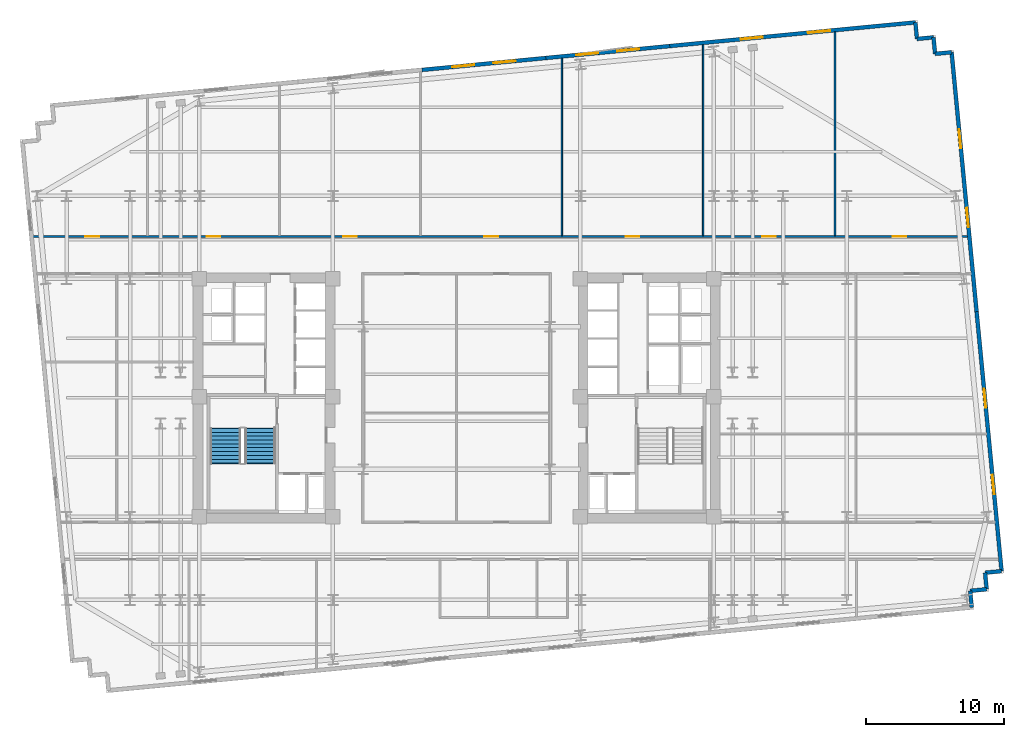
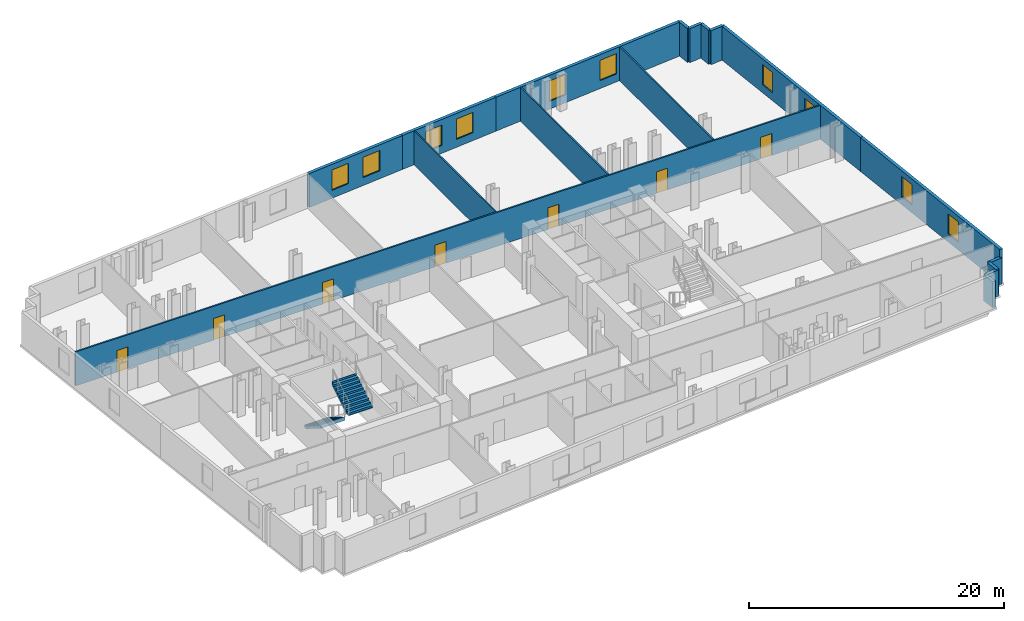
# One storey, part 8 of 11: 17 walls, 10 windows, 7 doors, 2 stair flights, 17 openings, 1 element without a shape of its own.
"""IFC4 building model written with IfcOpenShell, lengths in metres."""

from ifc_helpers import new_model, si_unit, direction, frame, frame_2d, origin, place, context, subcontext, project, spatial, polyline, rectangle, outline, extrude, material, layer, layer_set, type_object, element, fill, aggregate, save


model = new_model("IFC4")

# Units and contexts
model_context = context("Model", 3, precision=1e-05, world=origin(), true_north=direction((0.0, 1.0)))
body_context = subcontext(model_context, "Body", "Model", "MODEL_VIEW")
ifc_project = project(units=[si_unit("LENGTHUNIT", "METRE"), si_unit("AREAUNIT", "SQUARE_METRE"), si_unit("VOLUMEUNIT", "CUBIC_METRE"), si_unit("PLANEANGLEUNIT", "RADIAN"), si_unit("MASSUNIT", "GRAM", prefix="KILO")], contexts=[model_context])

# Site, building, storey
site_placement = place(None, origin())
site = spatial("IfcSite", under=ifc_project, at=site_placement, CompositionType="ELEMENT")
building_placement = place(site_placement, origin())
building = spatial("IfcBuilding", under=site, at=building_placement, Name="Velakula Bourse", CompositionType="ELEMENT")
storey_placement = place(building_placement, frame((0.0, 0.0, 105.25)))
storey = spatial("IfcBuildingStorey", under=building, at=storey_placement, Name="L28", CompositionType="ELEMENT", Elevation=105.25)

# Wall, openings, windows
ifc_material_1 = material(Name="Red kilned clay facing brick masonry", Category="masonry")
ifc_layer_1 = layer(ifc_material_1, 0.280029296875, Name="Red kilned clay facing brick masonry", Category="masonry")
ifc_layer_set_1 = layer_set([ifc_layer_1], Name="Red kilned clay facing brick masonry")
wall_type_1 = type_object("IfcWallType", Name="WL-EXT-BRK-280", PredefinedType="STANDARD", material=ifc_layer_set_1)
wall_1_placement = place(storey_placement, frame((-2.51513671875, 23.7109375, 0.0), z_axis=(0.0, 0.0, 1.0), x_axis=(0.995397043619, 0.095836973841, 0.0)))
wall_1 = element("IfcWall", 1, at=wall_1_placement, inside=storey, type_object=wall_type_1, Name="L28 N Brick Spandrel Wall B3", PredefinedType="STANDARD", context=body_context, shape_type="SweptSolid", body=[
    extrude(rectangle(XDim=9.000244140625, YDim=0.280029296875, at=frame_2d((4.5, 0.0))), origin(), (0.0, 0.0, 1.0), 3.25),
])
opening_1_placement = place(wall_1_placement, frame((2.199951171875, 0.0, 0.760009765625)))
opening_1 = element("IfcOpeningElement", 2, at=opening_1_placement, cuts=wall_1, Name="Opening W-02", PredefinedType="OPENING", context=body_context, shape_type="SweptSolid", body=[
    extrude(rectangle(XDim=1.60009765625, YDim=1.949951171875, at=frame_2d((0.800048828125, 0.97509765625))), frame((0.0, 0.14990234375, 0.0), z_axis=(0.0, -1.0, 0.0), x_axis=(1.0, 0.0, 0.0)), (0.0, 0.0, 1.0), 0.300048828125),
])
opening_2_placement = place(wall_1_placement, frame((5.199951171875, 0.0, 0.760009765625)))
opening_2 = element("IfcOpeningElement", 3, at=opening_2_placement, cuts=wall_1, Name="Opening W-02", PredefinedType="OPENING", context=body_context, shape_type="SweptSolid", body=[
    extrude(rectangle(XDim=1.60009765625, YDim=1.949951171875, at=frame_2d((0.800048828125, 0.97509765625))), frame((0.0, 0.14990234375, 0.0), z_axis=(0.0, -1.0, 0.0), x_axis=(1.0, 0.0, 0.0)), (0.0, 0.0, 1.0), 0.300048828125),
])
ifc_material_2 = material(Name="Double-glazed solar-control Low-E glass", Category="glass")
window_type_1 = type_object("IfcWindowType", Name="WIN-TWR-1600x2100", PartitioningType="SINGLE_PANEL", PredefinedType="WINDOW", material=ifc_material_2)
window_1_placement = place(opening_1_placement, origin())
window_1 = element("IfcWindow", 4, at=window_1_placement, inside=storey, type_object=window_type_1, Name="L28 Deep-Set Recessed Window 1", OverallHeight=1.949951171875, OverallWidth=1.60009765625, PartitioningType="SINGLE_PANEL", PredefinedType="WINDOW", context=body_context, shape_type="SweptSolid", body=[
    extrude(rectangle(XDim=1.60009765625, YDim=1.949951171875, at=frame_2d((0.800048828125, 0.97509765625))), frame((0.0, 0.030029296875, 0.0), z_axis=(0.0, -1.0, 0.0), x_axis=(1.0, 0.0, 0.0)), (0.0, 0.0, 1.0), 0.06005859375),
])
fill(opening_1, window_1)
window_2_placement = place(opening_2_placement, origin())
window_2 = element("IfcWindow", 5, at=window_2_placement, inside=storey, type_object=window_type_1, Name="L28 Deep-Set Recessed Window 2", OverallHeight=1.949951171875, OverallWidth=1.60009765625, PartitioningType="SINGLE_PANEL", PredefinedType="WINDOW", context=body_context, shape_type="SweptSolid", body=[
    extrude(rectangle(XDim=1.60009765625, YDim=1.949951171875, at=frame_2d((0.800048828125, 0.97509765625))), frame((0.0, 0.030029296875, 0.0), z_axis=(0.0, -1.0, 0.0), x_axis=(1.0, 0.0, 0.0)), (0.0, 0.0, 1.0), 0.06005859375),
])
fill(opening_2, window_2)

wall_2_placement = place(storey_placement, frame((6.443603515625, 24.573486328125, 0.0), z_axis=(0.0, 0.0, 1.0), x_axis=(0.995396794462, 0.09583956164, 0.0)))
wall_2 = element("IfcWall", 6, at=wall_2_placement, inside=storey, type_object=wall_type_1, Name="L28 N Brick Spandrel Wall B4", PredefinedType="STANDARD", context=body_context, shape_type="SweptSolid", body=[
    extrude(rectangle(XDim=9.0, YDim=0.280029296875, at=frame_2d((4.5, 0.0))), origin(), (0.0, 0.0, 1.0), 3.25),
])
opening_3_placement = place(wall_2_placement, frame((2.199951171875, 0.0, 0.760009765625)))
opening_3 = element("IfcOpeningElement", 7, at=opening_3_placement, cuts=wall_2, Name="Opening W-02", PredefinedType="OPENING", context=body_context, shape_type="SweptSolid", body=[
    extrude(rectangle(XDim=1.60009765625, YDim=1.949951171875, at=frame_2d((0.800048828125, 0.97509765625))), frame((0.0, 0.14990234375, 0.0), z_axis=(0.0, -1.0, 0.0), x_axis=(1.0, 0.0, 0.0)), (0.0, 0.0, 1.0), 0.300048828125),
])
opening_4_placement = place(wall_2_placement, frame((5.199951171875, 0.0, 0.760009765625)))
opening_4 = element("IfcOpeningElement", 8, at=opening_4_placement, cuts=wall_2, Name="Opening W-02", PredefinedType="OPENING", context=body_context, shape_type="SweptSolid", body=[
    extrude(rectangle(XDim=1.60009765625, YDim=1.949951171875, at=frame_2d((0.800048828125, 0.97509765625))), frame((0.0, 0.14990234375, 0.0), z_axis=(0.0, -1.0, 0.0), x_axis=(1.0, 0.0, 0.0)), (0.0, 0.0, 1.0), 0.300048828125),
])
window_3_placement = place(opening_3_placement, origin())
window_3 = element("IfcWindow", 9, at=window_3_placement, inside=storey, type_object=window_type_1, Name="L28 Deep-Set Recessed Window 1", OverallHeight=1.949951171875, OverallWidth=1.60009765625, PartitioningType="SINGLE_PANEL", PredefinedType="WINDOW", context=body_context, shape_type="SweptSolid", body=[
    extrude(rectangle(XDim=1.60009765625, YDim=1.949951171875, at=frame_2d((0.800048828125, 0.97509765625))), frame((0.0, 0.030029296875, 0.0), z_axis=(0.0, -1.0, 0.0), x_axis=(1.0, 0.0, 0.0)), (0.0, 0.0, 1.0), 0.06005859375),
])
fill(opening_3, window_3)
window_4_placement = place(opening_4_placement, origin())
window_4 = element("IfcWindow", 10, at=window_4_placement, inside=storey, type_object=window_type_1, Name="L28 Deep-Set Recessed Window 2", OverallHeight=1.949951171875, OverallWidth=1.60009765625, PartitioningType="SINGLE_PANEL", PredefinedType="WINDOW", context=body_context, shape_type="SweptSolid", body=[
    extrude(rectangle(XDim=1.60009765625, YDim=1.949951171875, at=frame_2d((0.800048828125, 0.97509765625))), frame((0.0, 0.030029296875, 0.0), z_axis=(0.0, -1.0, 0.0), x_axis=(1.0, 0.0, 0.0)), (0.0, 0.0, 1.0), 0.06005859375),
])
fill(opening_4, window_4)

wall_3_placement = place(storey_placement, frame((15.402099609375, 25.43603515625, 0.0), z_axis=(0.0, 0.0, 1.0), x_axis=(0.995395780835, 0.095850088663, 0.0)))
wall_3 = element("IfcWall", 11, at=wall_3_placement, inside=storey, type_object=wall_type_1, Name="L28 N Brick Spandrel Wall B5", PredefinedType="STANDARD", context=body_context, shape_type="SweptSolid", body=[
    extrude(rectangle(XDim=17.83984375, YDim=0.280029296875, at=frame_2d((8.919921875, 0.0))), origin(), (0.0, 0.0, 1.0), 3.25),
])
opening_5_placement = place(wall_3_placement, frame((5.146728515625, 0.0, 0.760009765625)))
opening_5 = element("IfcOpeningElement", 12, at=opening_5_placement, cuts=wall_3, Name="Opening W-02", PredefinedType="OPENING", context=body_context, shape_type="SweptSolid", body=[
    extrude(rectangle(XDim=1.60009765625, YDim=1.949951171875, at=frame_2d((0.800048828125, 0.97509765625))), frame((0.0, 0.14990234375, 0.0), z_axis=(0.0, -1.0, 0.0), x_axis=(1.0, 0.0, 0.0)), (0.0, 0.0, 1.0), 0.300048828125),
])
opening_6_placement = place(wall_3_placement, frame((10.043212890625, 0.0, 0.760009765625)))
opening_6 = element("IfcOpeningElement", 13, at=opening_6_placement, cuts=wall_3, Name="Opening W-02", PredefinedType="OPENING", context=body_context, shape_type="SweptSolid", body=[
    extrude(rectangle(XDim=1.60009765625, YDim=1.949951171875, at=frame_2d((0.800048828125, 0.97509765625))), frame((0.0, 0.14990234375, 0.0), z_axis=(0.0, -1.0, 0.0), x_axis=(1.0, 0.0, 0.0)), (0.0, 0.0, 1.0), 0.300048828125),
])
window_5_placement = place(opening_5_placement, origin())
window_5 = element("IfcWindow", 14, at=window_5_placement, inside=storey, type_object=window_type_1, Name="L28 Deep-Set Recessed Window 1", OverallHeight=1.949951171875, OverallWidth=1.60009765625, PartitioningType="SINGLE_PANEL", PredefinedType="WINDOW", context=body_context, shape_type="SweptSolid", body=[
    extrude(rectangle(XDim=1.60009765625, YDim=1.949951171875, at=frame_2d((0.800048828125, 0.97509765625))), frame((0.0, 0.030029296875, 0.0), z_axis=(0.0, -1.0, 0.0), x_axis=(1.0, 0.0, 0.0)), (0.0, 0.0, 1.0), 0.06005859375),
])
fill(opening_5, window_5)
window_6_placement = place(opening_6_placement, origin())
window_6 = element("IfcWindow", 15, at=window_6_placement, inside=storey, type_object=window_type_1, Name="L28 Deep-Set Recessed Window 2", OverallHeight=1.949951171875, OverallWidth=1.60009765625, PartitioningType="SINGLE_PANEL", PredefinedType="WINDOW", context=body_context, shape_type="SweptSolid", body=[
    extrude(rectangle(XDim=1.60009765625, YDim=1.949951171875, at=frame_2d((0.800048828125, 0.97509765625))), frame((0.0, 0.030029296875, 0.0), z_axis=(0.0, -1.0, 0.0), x_axis=(1.0, 0.0, 0.0)), (0.0, 0.0, 1.0), 0.06005859375),
])
fill(opening_6, window_6)

wall_4_placement = place(storey_placement, frame((37.584716796875, 6.23388671875, 0.0), z_axis=(0.0, 0.0, 1.0), x_axis=(0.095841297881, -0.99539662729, 0.0)))
wall_4 = element("IfcWall", 16, at=wall_4_placement, inside=storey, type_object=wall_type_1, Name="L28 E Brick End Wall W1", PredefinedType="STANDARD", context=body_context, shape_type="SweptSolid", body=[
    extrude(rectangle(XDim=18.840087890625, YDim=0.280029296875, at=frame_2d((9.419921875, 0.0))), origin(), (0.0, 0.0, 1.0), 3.25),
])
opening_7_placement = place(wall_4_placement, frame((5.580078125, 0.0, 0.760009765625)))
opening_7 = element("IfcOpeningElement", 17, at=opening_7_placement, cuts=wall_4, Name="Opening W-03", PredefinedType="OPENING", context=body_context, shape_type="SweptSolid", body=[
    extrude(rectangle(XDim=1.39990234375, YDim=1.949951171875, at=frame_2d((0.699951171875, 0.97509765625))), frame((0.0, 0.14990234375, 0.0), z_axis=(0.0, -1.0, 0.0), x_axis=(1.0, 0.0, 0.0)), (0.0, 0.0, 1.0), 0.300048828125),
])
opening_8_placement = place(wall_4_placement, frame((11.860107421875, 0.0, 0.760009765625)))
opening_8 = element("IfcOpeningElement", 18, at=opening_8_placement, cuts=wall_4, Name="Opening W-03", PredefinedType="OPENING", context=body_context, shape_type="SweptSolid", body=[
    extrude(rectangle(XDim=1.39990234375, YDim=1.949951171875, at=frame_2d((0.699951171875, 0.97509765625))), frame((0.0, 0.14990234375, 0.0), z_axis=(0.0, -1.0, 0.0), x_axis=(1.0, 0.0, 0.0)), (0.0, 0.0, 1.0), 0.300048828125),
])
window_type_2 = type_object("IfcWindowType", Name="WIN-TWR-1400x2100", PartitioningType="SINGLE_PANEL", PredefinedType="WINDOW", material=ifc_material_2)
window_7_placement = place(opening_7_placement, origin())
window_7 = element("IfcWindow", 19, at=window_7_placement, inside=storey, type_object=window_type_2, Name="L28 Deep-Set Recessed Window 1", OverallHeight=1.949951171875, OverallWidth=1.39990234375, PartitioningType="SINGLE_PANEL", PredefinedType="WINDOW", context=body_context, shape_type="SweptSolid", body=[
    extrude(rectangle(XDim=1.39990234375, YDim=1.949951171875, at=frame_2d((0.699951171875, 0.97509765625))), frame((0.0, 0.030029296875, 0.0), z_axis=(0.0, -1.0, 0.0), x_axis=(1.0, 0.0, 0.0)), (0.0, 0.0, 1.0), 0.06005859375),
])
fill(opening_7, window_7)
window_8_placement = place(opening_8_placement, origin())
window_8 = element("IfcWindow", 20, at=window_8_placement, inside=storey, type_object=window_type_2, Name="L28 Deep-Set Recessed Window 2", OverallHeight=1.949951171875, OverallWidth=1.39990234375, PartitioningType="SINGLE_PANEL", PredefinedType="WINDOW", context=body_context, shape_type="SweptSolid", body=[
    extrude(rectangle(XDim=1.39990234375, YDim=1.949951171875, at=frame_2d((0.699951171875, 0.97509765625))), frame((0.0, 0.030029296875, 0.0), z_axis=(0.0, -1.0, 0.0), x_axis=(1.0, 0.0, 0.0)), (0.0, 0.0, 1.0), 0.06005859375),
])
fill(opening_8, window_8)

wall_5_placement = place(storey_placement, frame((35.779052734375, 24.987060546875, 0.0), z_axis=(0.0, 0.0, 1.0), x_axis=(0.095842534142, -0.995396508256, 0.0)))
wall_5 = element("IfcWall", 21, at=wall_5_placement, inside=storey, type_object=wall_type_1, Name="L28 E Brick End Wall W2", PredefinedType="STANDARD", context=body_context, shape_type="SweptSolid", body=[
    extrude(rectangle(XDim=18.83984375, YDim=0.280029296875, at=frame_2d((9.419921875, 0.0))), origin(), (0.0, 0.0, 1.0), 3.25),
])
opening_9_placement = place(wall_5_placement, frame((5.580078125, 0.0, 0.760009765625)))
opening_9 = element("IfcOpeningElement", 22, at=opening_9_placement, cuts=wall_5, Name="Opening W-03", PredefinedType="OPENING", context=body_context, shape_type="SweptSolid", body=[
    extrude(rectangle(XDim=1.39990234375, YDim=1.949951171875, at=frame_2d((0.699951171875, 0.97509765625))), frame((0.0, 0.14990234375, 0.0), z_axis=(0.0, -1.0, 0.0), x_axis=(1.0, 0.0, 0.0)), (0.0, 0.0, 1.0), 0.300048828125),
])
opening_10_placement = place(wall_5_placement, frame((11.31005859375, 0.0, 0.760009765625)))
opening_10 = element("IfcOpeningElement", 23, at=opening_10_placement, cuts=wall_5, Name="Opening W-03", PredefinedType="OPENING", context=body_context, shape_type="SweptSolid", body=[
    extrude(rectangle(XDim=1.39990234375, YDim=1.949951171875, at=frame_2d((0.699951171875, 0.97509765625))), frame((0.0, 0.14990234375, 0.0), z_axis=(0.0, -1.0, 0.0), x_axis=(1.0, 0.0, 0.0)), (0.0, 0.0, 1.0), 0.300048828125),
])
window_9_placement = place(opening_9_placement, origin())
window_9 = element("IfcWindow", 24, at=window_9_placement, inside=storey, type_object=window_type_2, Name="L28 Deep-Set Recessed Window 1", OverallHeight=1.949951171875, OverallWidth=1.39990234375, PartitioningType="SINGLE_PANEL", PredefinedType="WINDOW", context=body_context, shape_type="SweptSolid", body=[
    extrude(rectangle(XDim=1.39990234375, YDim=1.949951171875, at=frame_2d((0.699951171875, 0.97509765625))), frame((0.0, 0.030029296875, 0.0), z_axis=(0.0, -1.0, 0.0), x_axis=(1.0, 0.0, 0.0)), (0.0, 0.0, 1.0), 0.06005859375),
])
fill(opening_9, window_9)
window_10_placement = place(opening_10_placement, origin())
window_10 = element("IfcWindow", 25, at=window_10_placement, inside=storey, type_object=window_type_2, Name="L28 Deep-Set Recessed Window 2", OverallHeight=1.949951171875, OverallWidth=1.39990234375, PartitioningType="SINGLE_PANEL", PredefinedType="WINDOW", context=body_context, shape_type="SweptSolid", body=[
    extrude(rectangle(XDim=1.39990234375, YDim=1.949951171875, at=frame_2d((0.699951171875, 0.97509765625))), frame((0.0, 0.030029296875, 0.0), z_axis=(0.0, -1.0, 0.0), x_axis=(1.0, 0.0, 0.0)), (0.0, 0.0, 1.0), 0.06005859375),
])
fill(opening_10, window_10)

# Walls
for number, where, z_axis, x_axis, name in (
    (26, (37.2314453125, -15.138427734375, 0.0), (0.0, 0.0, 1.0), (-0.095817067274, 0.995398960025, 0.0), "L28 Serrated Corner Brick Wall SE-1"),
    (27, (37.116455078125, -13.94384765625, 0.0), (0.0, 0.0, 1.0), (0.995398960025, 0.095817067274, 0.0), "L28 Serrated Corner Brick Wall SE-2"),
):
    element("IfcWall", number, at=place(storey_placement, frame(where, z_axis=z_axis, x_axis=x_axis)), inside=storey, type_object=wall_type_1, Name=name, PredefinedType="STANDARD", context=body_context, shape_type="SweptSolid", body=[
        extrude(rectangle(XDim=1.2001953125, YDim=0.280029296875, at=frame_2d((0.60009765625, 0.0))), origin(), (0.0, 0.0, 1.0), 2.4951171875),
    ])
for number, where, z_axis, x_axis, name in (
    (28, (38.31103515625, -13.828857421875, 0.0), (0.0, 0.0, 1.0), (-0.095836473879, 0.995397091755, 0.0), "L28 Serrated Corner Brick Wall SE-3"),
    (29, (38.196044921875, -12.634521484375, 0.0), (0.0, 0.0, 1.0), (0.995397091755, 0.095836473879, 0.0), "L28 Serrated Corner Brick Wall SE-4"),
):
    element("IfcWall", number, at=place(storey_placement, frame(where, z_axis=z_axis, x_axis=x_axis)), inside=storey, type_object=wall_type_1, Name=name, PredefinedType="STANDARD", context=body_context, shape_type="SweptSolid", body=[
        extrude(rectangle(XDim=1.199951171875, YDim=0.280029296875, at=frame_2d((0.60009765625, 0.0))), origin(), (0.0, 0.0, 1.0), 2.4951171875),
    ])
for number, where, z_axis, x_axis, name in (
    (30, (35.779052734375, 24.987060546875, 0.0), (0.0, 0.0, 1.0), (-0.995398960025, -0.095817067274, 0.0), "L28 Serrated Corner Brick Wall NE-1"),
    (31, (34.58447265625, 24.8720703125, 0.0), (0.0, 0.0, 1.0), (-0.095817067274, 0.995398960025, 0.0), "L28 Serrated Corner Brick Wall NE-2"),
    (32, (34.469482421875, 26.066650390625, 0.0), (0.0, 0.0, 1.0), (-0.995398960025, -0.095817067274, 0.0), "L28 Serrated Corner Brick Wall NE-3"),
):
    element("IfcWall", number, at=place(storey_placement, frame(where, z_axis=z_axis, x_axis=x_axis)), inside=storey, type_object=wall_type_1, Name=name, PredefinedType="STANDARD", context=body_context, shape_type="SweptSolid", body=[
        extrude(rectangle(XDim=1.2001953125, YDim=0.280029296875, at=frame_2d((0.60009765625, 0.0))), origin(), (0.0, 0.0, 1.0), 3.25),
    ])
wall_6_placement = place(storey_placement, frame((33.27490234375, 25.95166015625, 0.0), z_axis=(0.0, 0.0, 1.0), x_axis=(-0.095836473879, 0.995397091755, 0.0)))
element("IfcWall", 33, at=wall_6_placement, inside=storey, type_object=wall_type_1, Name="L28 Serrated Corner Brick Wall NE-4", PredefinedType="STANDARD", context=body_context, shape_type="SweptSolid", body=[
    extrude(rectangle(XDim=1.199951171875, YDim=0.280029296875, at=frame_2d((0.60009765625, 0.0))), origin(), (0.0, 0.0, 1.0), 3.25),
])
ifc_material_3 = material(Name="Fire-rated double-layer gypsum drywall partition", Category="gypsum")
ifc_layer_2 = layer(ifc_material_3, 0.1201171875, Name="Fire-rated double-layer gypsum drywall partition", Category="gypsum")
ifc_layer_set_2 = layer_set([ifc_layer_2], Name="Fire-rated double-layer gypsum drywall partition")
wall_type_2 = type_object("IfcWallType", Name="WL-PART-120", PredefinedType="STANDARD", material=ifc_layer_set_2)
wall_7_placement = place(storey_placement, frame((7.60498046875, 11.739990234375, 0.0), z_axis=(0.0, 0.0, 1.0), x_axis=(0.0, 1.0, 0.0)))
element("IfcWall", 34, at=wall_7_placement, inside=storey, type_object=wall_type_2, Name="L28 Interior Partition WL-INT-L28-N-D4", PredefinedType="STANDARD", context=body_context, shape_type="SweptSolid", body=[
    extrude(rectangle(XDim=12.82470703125, YDim=0.1201171875, at=frame_2d((6.412353515625, 0.0))), origin(), (0.0, 0.0, 1.0), 3.25),
])
wall_8_placement = place(storey_placement, frame((17.81494140625, 11.739990234375, 0.0), z_axis=(0.0, 0.0, 1.0), x_axis=(0.0, 1.0, 0.0)))
element("IfcWall", 35, at=wall_8_placement, inside=storey, type_object=wall_type_2, Name="L28 Interior Partition WL-INT-L28-N-D5", PredefinedType="STANDARD", context=body_context, shape_type="SweptSolid", body=[
    extrude(rectangle(XDim=13.807861328125, YDim=0.1201171875, at=frame_2d((6.90380859375, 0.0))), origin(), (0.0, 0.0, 1.0), 3.25),
])
wall_9_placement = place(storey_placement, frame((27.343994140625, 11.739990234375, 0.0), z_axis=(0.0, 0.0, 1.0), x_axis=(0.0, 1.0, 0.0)))
element("IfcWall", 36, at=wall_9_placement, inside=storey, type_object=wall_type_2, Name="L28 Interior Partition WL-INT-L28-N-D6", PredefinedType="STANDARD", context=body_context, shape_type="SweptSolid", body=[
    extrude(rectangle(XDim=14.7255859375, YDim=0.1201171875, at=frame_2d((7.36279296875, 0.0))), origin(), (0.0, 0.0, 1.0), 3.25),
])

# Wall, openings, doors
ifc_layer_3 = layer(ifc_material_3, 0.139892578125, Name="Fire-rated double-layer gypsum drywall partition", Category="gypsum")
ifc_layer_set_3 = layer_set([ifc_layer_3], Name="Fire-rated double-layer gypsum drywall partition")
wall_type_3 = type_object("IfcWallType", Name="WL-PART-140", PredefinedType="STANDARD", material=ifc_layer_set_3)
wall_10_placement = place(storey_placement, frame((-30.6103515625, 11.669921875, 0.0), z_axis=(0.0, 0.0, 1.0), x_axis=(1.0, 0.0, 0.0)))
wall_10 = element("IfcWall", 37, at=wall_10_placement, inside=storey, type_object=wall_type_3, Name="L28 Interior Partition WL-INT-L28-N-CORR", PredefinedType="STANDARD", context=body_context, shape_type="SweptSolid", body=[
    extrude(rectangle(XDim=67.551025390625, YDim=0.139892578125, at=frame_2d((33.775390625, 0.0))), origin(), (0.0, 0.0, 1.0), 3.25),
])
opening_11_placement = place(wall_10_placement, frame((3.758544921875, 0.0, 0.0)))
opening_11 = element("IfcOpeningElement", 38, at=opening_11_placement, cuts=wall_10, Name="Opening D-OF1", PredefinedType="OPENING", context=body_context, shape_type="SweptSolid", body=[
    extrude(rectangle(XDim=1.0, YDim=2.080078125, at=frame_2d((0.5, 1.0400390625))), frame((0.0, 0.079833984375, 0.0), z_axis=(0.0, -1.0, 0.0), x_axis=(1.0, 0.0, 0.0)), (0.0, 0.0, 1.0), 0.159912109375),
])
opening_12_placement = place(wall_10_placement, frame((12.52978515625, 0.0, 0.0)))
opening_12 = element("IfcOpeningElement", 39, at=opening_12_placement, cuts=wall_10, Name="Opening D-OF1", PredefinedType="OPENING", context=body_context, shape_type="SweptSolid", body=[
    extrude(rectangle(XDim=1.0, YDim=2.080078125, at=frame_2d((0.5, 1.0400390625))), frame((0.0, 0.079833984375, 0.0), z_axis=(0.0, -1.0, 0.0), x_axis=(1.0, 0.0, 0.0)), (0.0, 0.0, 1.0), 0.159912109375),
])
opening_13_placement = place(wall_10_placement, frame((22.3994140625, 0.0, 0.0)))
opening_13 = element("IfcOpeningElement", 40, at=opening_13_placement, cuts=wall_10, Name="Opening D-OF1", PredefinedType="OPENING", context=body_context, shape_type="SweptSolid", body=[
    extrude(rectangle(XDim=1.0, YDim=2.080078125, at=frame_2d((0.5, 1.0400390625))), frame((0.0, 0.079833984375, 0.0), z_axis=(0.0, -1.0, 0.0), x_axis=(1.0, 0.0, 0.0)), (0.0, 0.0, 1.0), 0.159912109375),
])
opening_14_placement = place(wall_10_placement, frame((32.60986328125, 0.0, 0.0)))
opening_14 = element("IfcOpeningElement", 41, at=opening_14_placement, cuts=wall_10, Name="Opening D-OF1", PredefinedType="OPENING", context=body_context, shape_type="SweptSolid", body=[
    extrude(rectangle(XDim=1.0, YDim=2.080078125, at=frame_2d((0.5, 1.0400390625))), frame((0.0, 0.079833984375, 0.0), z_axis=(0.0, -1.0, 0.0), x_axis=(1.0, 0.0, 0.0)), (0.0, 0.0, 1.0), 0.159912109375),
])
opening_15_placement = place(wall_10_placement, frame((42.8203125, 0.0, 0.0)))
opening_15 = element("IfcOpeningElement", 42, at=opening_15_placement, cuts=wall_10, Name="Opening D-OF1", PredefinedType="OPENING", context=body_context, shape_type="SweptSolid", body=[
    extrude(rectangle(XDim=1.0, YDim=2.080078125, at=frame_2d((0.5, 1.0400390625))), frame((0.0, 0.079833984375, 0.0), z_axis=(0.0, -1.0, 0.0), x_axis=(1.0, 0.0, 0.0)), (0.0, 0.0, 1.0), 0.159912109375),
])
opening_16_placement = place(wall_10_placement, frame((52.689697265625, 0.0, 0.0)))
opening_16 = element("IfcOpeningElement", 43, at=opening_16_placement, cuts=wall_10, Name="Opening D-OF1", PredefinedType="OPENING", context=body_context, shape_type="SweptSolid", body=[
    extrude(rectangle(XDim=1.0, YDim=2.080078125, at=frame_2d((0.5, 1.0400390625))), frame((0.0, 0.079833984375, 0.0), z_axis=(0.0, -1.0, 0.0), x_axis=(1.0, 0.0, 0.0)), (0.0, 0.0, 1.0), 0.159912109375),
])
opening_17_placement = place(wall_10_placement, frame((62.126708984375, 0.0, 0.0)))
opening_17 = element("IfcOpeningElement", 44, at=opening_17_placement, cuts=wall_10, Name="Opening D-OF1", PredefinedType="OPENING", context=body_context, shape_type="SweptSolid", body=[
    extrude(rectangle(XDim=1.0, YDim=2.080078125, at=frame_2d((0.5, 1.0400390625))), frame((0.0, 0.079833984375, 0.0), z_axis=(0.0, -1.0, 0.0), x_axis=(1.0, 0.0, 0.0)), (0.0, 0.0, 1.0), 0.159912109375),
])
ifc_material_4 = material(Name="Fire-rated hardwood flush architectural door", Category="wood")
door_type = type_object("IfcDoorType", Name="DR-OFF-1000", OperationType="NOTDEFINED", PredefinedType="DOOR", material=ifc_material_4)
door_1_placement = place(opening_11_placement, origin())
door_1 = element("IfcDoor", 45, at=door_1_placement, inside=storey, type_object=door_type, Name="L28 Prime-Brokerage Dealing Workspace Door", OperationType="SINGLE_SWING_LEFT", OverallHeight=2.080078125, OverallWidth=1.0, PredefinedType="DOOR", context=body_context, shape_type="SweptSolid", body=[
    extrude(rectangle(XDim=1.0, YDim=2.080078125, at=frame_2d((0.5, 1.0400390625))), frame((0.0, 0.02490234375, 0.0), z_axis=(0.0, -1.0, 0.0), x_axis=(1.0, 0.0, 0.0)), (0.0, 0.0, 1.0), 0.050048828125),
])
fill(opening_11, door_1)
door_2_placement = place(opening_12_placement, origin())
door_2 = element("IfcDoor", 46, at=door_2_placement, inside=storey, type_object=door_type, Name="L28 Arbitration Conference Room Door", OperationType="SINGLE_SWING_RIGHT", OverallHeight=2.080078125, OverallWidth=1.0, PredefinedType="DOOR", context=body_context, shape_type="SweptSolid", body=[
    extrude(rectangle(XDim=1.0, YDim=2.080078125, at=frame_2d((0.5, 1.0400390625))), frame((0.0, 0.02490234375, 0.0), z_axis=(0.0, -1.0, 0.0), x_axis=(1.0, 0.0, 0.0)), (0.0, 0.0, 1.0), 0.050048828125),
])
fill(opening_12, door_2)
door_3_placement = place(opening_13_placement, origin())
door_3 = element("IfcDoor", 47, at=door_3_placement, inside=storey, type_object=door_type, Name="L28 Tea Room Kitchenette Door", OperationType="SINGLE_SWING_LEFT", OverallHeight=2.080078125, OverallWidth=1.0, PredefinedType="DOOR", context=body_context, shape_type="SweptSolid", body=[
    extrude(rectangle(XDim=1.0, YDim=2.080078125, at=frame_2d((0.5, 1.0400390625))), frame((0.0, 0.02490234375, 0.0), z_axis=(0.0, -1.0, 0.0), x_axis=(1.0, 0.0, 0.0)), (0.0, 0.0, 1.0), 0.050048828125),
])
fill(opening_13, door_3)
door_4_placement = place(opening_14_placement, origin())
door_4 = element("IfcDoor", 48, at=door_4_placement, inside=storey, type_object=door_type, Name="L28 Quiet Financial Library Door", OperationType="SINGLE_SWING_RIGHT", OverallHeight=2.080078125, OverallWidth=1.0, PredefinedType="DOOR", context=body_context, shape_type="SweptSolid", body=[
    extrude(rectangle(XDim=1.0, YDim=2.080078125, at=frame_2d((0.5, 1.0400390625))), frame((0.0, 0.02490234375, 0.0), z_axis=(0.0, -1.0, 0.0), x_axis=(1.0, 0.0, 0.0)), (0.0, 0.0, 1.0), 0.050048828125),
])
fill(opening_14, door_4)
door_5_placement = place(opening_15_placement, origin())
door_5 = element("IfcDoor", 49, at=door_5_placement, inside=storey, type_object=door_type, Name="L28 Primary Dealer Office Door", OperationType="SINGLE_SWING_LEFT", OverallHeight=2.080078125, OverallWidth=1.0, PredefinedType="DOOR", context=body_context, shape_type="SweptSolid", body=[
    extrude(rectangle(XDim=1.0, YDim=2.080078125, at=frame_2d((0.5, 1.0400390625))), frame((0.0, 0.02490234375, 0.0), z_axis=(0.0, -1.0, 0.0), x_axis=(1.0, 0.0, 0.0)), (0.0, 0.0, 1.0), 0.050048828125),
])
fill(opening_15, door_5)
door_6_placement = place(opening_16_placement, origin())
door_6 = element("IfcDoor", 50, at=door_6_placement, inside=storey, type_object=door_type, Name="L28 Prime-Brokerage Dealing Workspace Door", OperationType="SINGLE_SWING_RIGHT", OverallHeight=2.080078125, OverallWidth=1.0, PredefinedType="DOOR", context=body_context, shape_type="SweptSolid", body=[
    extrude(rectangle(XDim=1.0, YDim=2.080078125, at=frame_2d((0.5, 1.0400390625))), frame((0.0, 0.02490234375, 0.0), z_axis=(0.0, -1.0, 0.0), x_axis=(1.0, 0.0, 0.0)), (0.0, 0.0, 1.0), 0.050048828125),
])
fill(opening_16, door_6)
door_7_placement = place(opening_17_placement, origin())
door_7 = element("IfcDoor", 51, at=door_7_placement, inside=storey, type_object=door_type, Name="L28 Treasury Operations Office Door", OperationType="SINGLE_SWING_LEFT", OverallHeight=2.080078125, OverallWidth=1.0, PredefinedType="DOOR", context=body_context, shape_type="SweptSolid", body=[
    extrude(rectangle(XDim=1.0, YDim=2.080078125, at=frame_2d((0.5, 1.0400390625))), frame((0.0, 0.02490234375, 0.0), z_axis=(0.0, -1.0, 0.0), x_axis=(1.0, 0.0, 0.0)), (0.0, 0.0, 1.0), 0.050048828125),
])
fill(opening_17, door_7)

# Stair, stair flights
ifc_material_5 = material(Name="Concrete M45 (fck 45 MPa)", Category="concrete")
stair_type = type_object("IfcStairType", Name="STR-DOG-390", PredefinedType="HALF_TURN_STAIR", material=ifc_material_5)
stair_placement = place(storey_placement, origin())
stair = element("IfcStair", 52, at=stair_placement, inside=storey, type_object=stair_type, Name="L28 West Core Exit Stair ST-W1", PredefinedType="HALF_TURN_STAIR")
ifc_layer_4 = layer(ifc_material_5, 0.195068359375, Name="Concrete M45 (fck 45 MPa)", Category="concrete")
ifc_layer_set_4 = layer_set([ifc_layer_4], Name="Concrete M45 (fck 45 MPa)")
stair_flight_type = type_object("IfcStairFlightType", Name="FLT-DOG-390", PredefinedType="STRAIGHT", material=ifc_layer_set_4)
stair_flight_1_placement = place(storey_placement, frame((-16.720947265625, -2.199951171875, 0.0), z_axis=(0.0, 0.0, 1.0), x_axis=(0.0, -1.0, 0.0)))
stair_flight_1 = element("IfcStairFlight", 53, at=stair_flight_1_placement, type_object=stair_flight_type, Name="ST-W1 flight 1", NumberOfRisers=10, NumberOfTreads=9, PredefinedType="STRAIGHT", RiserHeight=0.1725, TreadLength=0.28, context=body_context, shape_type="SweptSolid", body=[
    extrude(outline(polyline([(-0.044921875, -0.0400390625), (-0.044921875, -0.036865234375), (-0.044921875, -0.033935546875), (-0.044921875, -0.03076171875), (-0.044921875, -0.027587890625), (-0.044921875, -0.024658203125), (-0.044921875, -0.021484375), (-0.044921875, -0.0185546875), (-0.044921875, -0.015380859375), (-0.044921875, -0.01220703125), (-0.044921875, -0.00927734375), (-0.044921875, -0.006103515625), (-0.044921875, -0.003173828125), (-0.044921875, 0.0), (0.0, 0.0), (0.0, 0.172607421875), (0.280029296875, 0.172607421875), (0.280029296875, 0.344970703125), (0.56005859375, 0.344970703125), (0.56005859375, 0.517578125), (0.840087890625, 0.517578125), (0.840087890625, 0.68994140625), (1.1201171875, 0.68994140625), (1.1201171875, 0.862548828125), (1.39990234375, 0.862548828125), (1.39990234375, 1.034912109375), (1.679931640625, 1.034912109375), (1.679931640625, 1.20751953125), (1.9599609375, 1.20751953125), (1.9599609375, 1.3798828125), (2.239990234375, 1.3798828125), (2.239990234375, 1.552490234375), (2.52001953125, 1.552490234375), (2.52001953125, 1.72509765625), (2.56494140625, 1.72509765625), (2.56494140625, 1.7001953125), (2.56494140625, 1.67529296875), (2.56494140625, 1.650390625), (2.56494140625, 1.62548828125), (2.56494140625, 1.6005859375), (2.56494140625, 1.57568359375), (2.56494140625, 1.55078125), (2.56494140625, 1.52587890625), (2.56494140625, 1.5009765625), (2.56494140625, 1.47607421875), (2.56494140625, 1.451171875), (2.56494140625, 1.42626953125), (2.56494140625, 1.4013671875), (2.56494140625, 1.37646484375), (0.285888671875, -0.0400390625), (-0.044921875, -0.0400390625)])), frame((0.0, 1.09912109375, 0.0), z_axis=(0.0, -1.0, 0.0), x_axis=(1.0, 0.0, 0.0)), (0.0, 0.0, 1.0), 2.197998046875),
])
stair_flight_2_placement = place(storey_placement, frame((-14.198974609375, -4.719970703125, 1.72509765625), z_axis=(0.0, 0.0, 1.0), x_axis=(0.0, 1.0, 0.0)))
stair_flight_2 = element("IfcStairFlight", 54, at=stair_flight_2_placement, type_object=stair_flight_type, Name="ST-W1 flight 2", NumberOfRisers=10, NumberOfTreads=9, PredefinedType="STRAIGHT", RiserHeight=0.1725, TreadLength=0.28, context=body_context, shape_type="SweptSolid", body=[
    extrude(outline(polyline([(-0.044921875, -0.0400390625), (-0.044921875, -0.036865234375), (-0.044921875, -0.033935546875), (-0.044921875, -0.03076171875), (-0.044921875, -0.027587890625), (-0.044921875, -0.024658203125), (-0.044921875, -0.021484375), (-0.044921875, -0.0185546875), (-0.044921875, -0.015380859375), (-0.044921875, -0.01220703125), (-0.044921875, -0.00927734375), (-0.044921875, -0.006103515625), (-0.044921875, -0.003173828125), (-0.044921875, 0.0), (0.0, 0.0), (0.0, 0.172607421875), (0.280029296875, 0.172607421875), (0.280029296875, 0.344970703125), (0.56005859375, 0.344970703125), (0.56005859375, 0.517578125), (0.840087890625, 0.517578125), (0.840087890625, 0.68994140625), (1.1201171875, 0.68994140625), (1.1201171875, 0.862548828125), (1.39990234375, 0.862548828125), (1.39990234375, 1.034912109375), (1.679931640625, 1.034912109375), (1.679931640625, 1.20751953125), (1.9599609375, 1.20751953125), (1.9599609375, 1.3798828125), (2.239990234375, 1.3798828125), (2.239990234375, 1.552490234375), (2.52001953125, 1.552490234375), (2.52001953125, 1.72509765625), (2.56494140625, 1.72509765625), (2.56494140625, 1.7001953125), (2.56494140625, 1.67529296875), (2.56494140625, 1.650390625), (2.56494140625, 1.62548828125), (2.56494140625, 1.6005859375), (2.56494140625, 1.57568359375), (2.56494140625, 1.55078125), (2.56494140625, 1.52587890625), (2.56494140625, 1.5009765625), (2.56494140625, 1.47607421875), (2.56494140625, 1.451171875), (2.56494140625, 1.42626953125), (2.56494140625, 1.4013671875), (2.56494140625, 1.37646484375), (0.285888671875, -0.0400390625), (-0.044921875, -0.0400390625)])), frame((0.0, 1.09912109375, 0.0), z_axis=(0.0, -1.0, 0.0), x_axis=(1.0, 0.0, 0.0)), (0.0, 0.0, 1.0), 2.197998046875),
])
aggregate(stair, [stair_flight_1, stair_flight_2])

save(model, "model.ifc")
